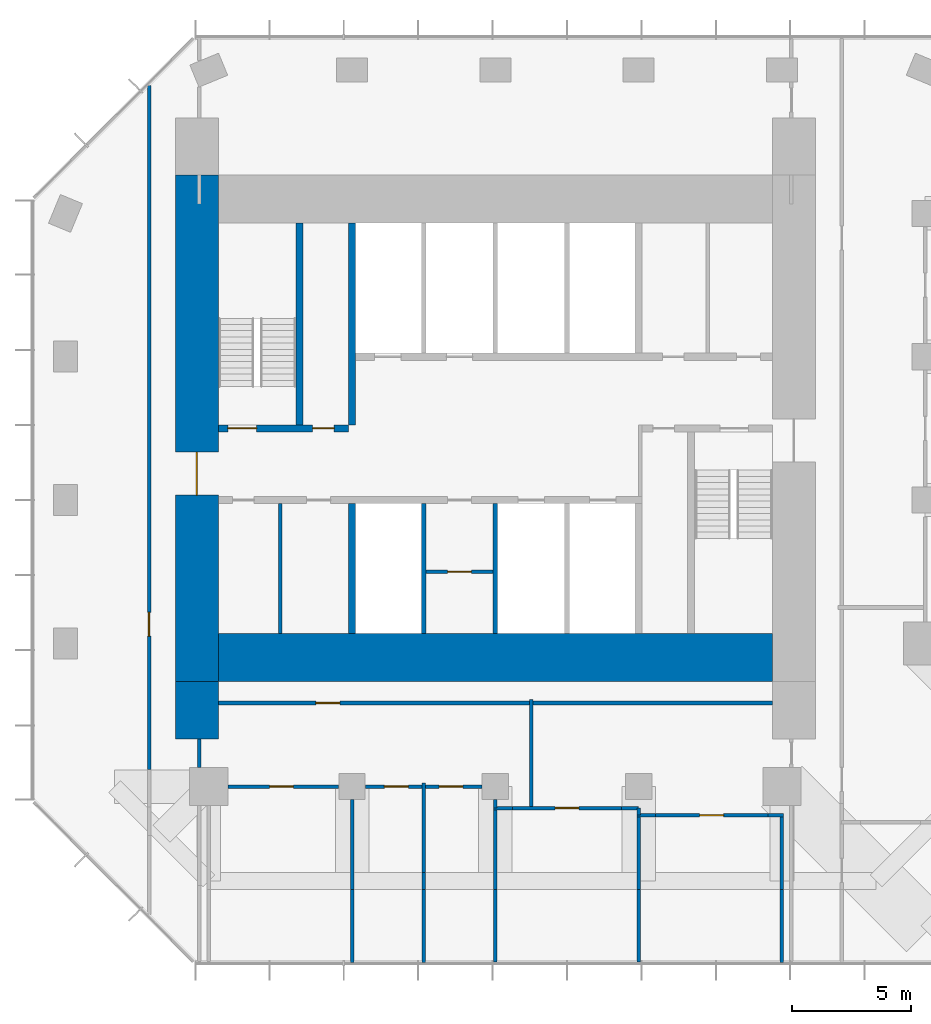
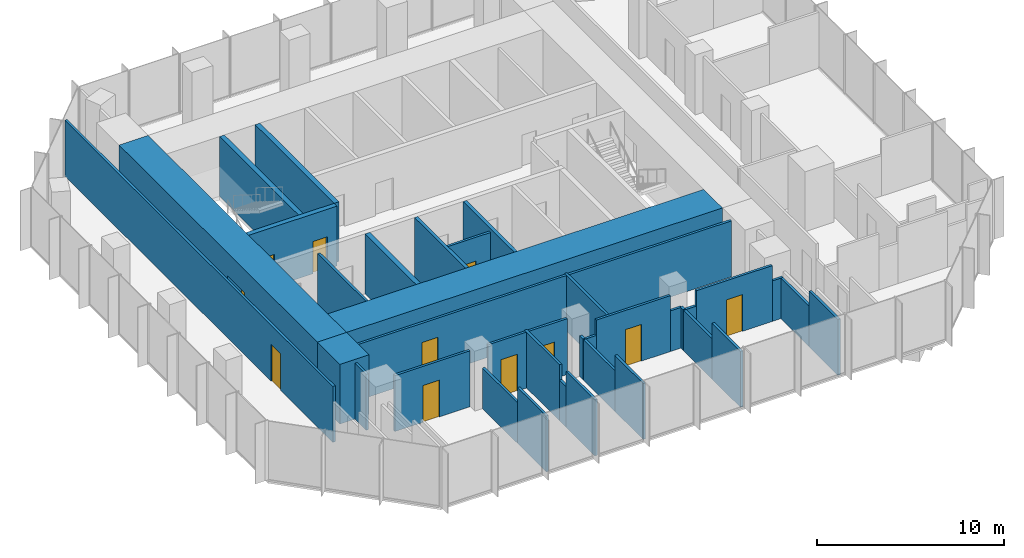
# One storey, part 8 of 11: 38 walls, 11 doors, 11 openings.
"""IFC4 building model written with IfcOpenShell, lengths in metres."""

from ifc_helpers import new_model, si_unit, direction, frame, frame_2d, origin, place, context, subcontext, project, spatial, rectangle, extrude, material, layer, layer_set, type_object, element, fill, save


model = new_model("IFC4")

# Units and contexts
model_context = context("Model", 3, precision=1e-05, world=origin(), true_north=direction((0.0, 1.0)))
body_context = subcontext(model_context, "Body", "Model", "MODEL_VIEW")
ifc_project = project(units=[si_unit("LENGTHUNIT", "METRE"), si_unit("AREAUNIT", "SQUARE_METRE"), si_unit("VOLUMEUNIT", "CUBIC_METRE"), si_unit("PLANEANGLEUNIT", "RADIAN"), si_unit("MASSUNIT", "GRAM", prefix="KILO")], contexts=[model_context])

# Site, building, storey
site_placement = place(None, origin())
site = spatial("IfcSite", under=ifc_project, at=site_placement, CompositionType="ELEMENT")
building_placement = place(site_placement, origin())
building = spatial("IfcBuilding", under=site, at=building_placement, Name="Highveld Stack Headquarters", CompositionType="ELEMENT")
storey_placement = place(building_placement, frame((0.0, 0.0, 276.199951171875)))
storey = spatial("IfcBuildingStorey", under=building, at=storey_placement, Name="L68", CompositionType="ELEMENT", Elevation=276.199951171875)

# Wall, opening, door
ifc_material_1 = material(Name="Concrete C60/75", Category="concrete")
ifc_layer_1 = layer(ifc_material_1, 1.800048828125)
ifc_layer_set_1 = layer_set([ifc_layer_1], Name="Concrete C60/75")
wall_type_1 = type_object("IfcWallType", Name="CORE WALL 1800 C60/75", PredefinedType="SHEAR", material=ifc_layer_set_1)
wall_1_placement = place(storey_placement, frame((-6.5, -7.60009765625, 0.0), z_axis=(0.0, 0.0, 1.0), x_axis=(0.0, 1.0, 0.0)))
wall_1 = element("IfcWall", 1, at=wall_1_placement, inside=storey, type_object=wall_type_1, Name="Core wall W L68", PredefinedType="SHEAR", context=body_context, shape_type="SweptSolid", body=[
    extrude(rectangle(XDim=21.2001953125, YDim=1.800048828125, at=frame_2d((10.60009765625, 0.0))), origin(), (0.0, 0.0, 1.0), 3.900146484375),
])
opening_1_placement = place(wall_1_placement, frame((7.800048828125, 0.0, 0.0)))
opening_1 = element("IfcOpeningElement", 2, at=opening_1_placement, cuts=wall_1, Name="Opening L68-01", PredefinedType="OPENING", context=body_context, shape_type="SweptSolid", body=[
    extrude(rectangle(XDim=1.800048828125, YDim=2.39990234375, at=frame_2d((0.89990234375, 1.199951171875))), frame((0.0, 0.909912109375, 0.0), z_axis=(0.0, -1.0, 0.0), x_axis=(1.0, 0.0, 0.0)), (0.0, 0.0, 1.0), 1.820068359375),
])
ifc_material_2 = material(Name="Steel fire door", Category="steel")
door_type_1 = type_object("IfcDoorType", Name="LOBBY FIRE DOOR D4 1800x2400", OperationType="DOUBLE_DOOR_SINGLE_SWING", PredefinedType="DOOR", material=ifc_material_2)
door_1_placement = place(opening_1_placement, origin())
door_1 = element("IfcDoor", 3, at=door_1_placement, inside=storey, type_object=door_type_1, Name="Core west door L68", OperationType="DOUBLE_DOOR_SINGLE_SWING", OverallHeight=2.39990234375, OverallWidth=1.800048828125, PredefinedType="DOOR", context=body_context, shape_type="SweptSolid", body=[
    extrude(rectangle(XDim=1.800048828125, YDim=2.39990234375, at=frame_2d((0.89990234375, 1.199951171875))), frame((0.0, 0.02490234375, 0.0), z_axis=(0.0, -1.0, 0.0), x_axis=(1.0, 0.0, 0.0)), (0.0, 0.0, 1.0), 0.050048828125),
])
fill(opening_1, door_1)

# Wall
ifc_material_3 = material(Name="Concrete C60/75", Category="concrete")
ifc_layer_2 = layer(ifc_material_3, 2.0)
ifc_layer_set_2 = layer_set([ifc_layer_2], Name="Concrete C60/75")
wall_type_2 = type_object("IfcWallType", Name="CORE WALL 2000 C60/75", PredefinedType="SHEAR", material=ifc_layer_set_2)
wall_2_placement = place(storey_placement, frame((-5.60009765625, -6.60009765625, 0.0), z_axis=(0.0, 0.0, 1.0), x_axis=(1.0, 0.0, 0.0)))
element("IfcWall", 4, at=wall_2_placement, inside=storey, type_object=wall_type_2, Name="Core wall S L68", PredefinedType="SHEAR", context=body_context, shape_type="SweptSolid", body=[
    extrude(rectangle(XDim=23.2001953125, YDim=2.0, at=frame_2d((11.60009765625, 0.0))), origin(), (0.0, 0.0, 1.0), 3.900146484375),
])

# Wall, openings, doors
ifc_material_4 = material(Name="Concrete C60/75", Category="concrete")
ifc_layer_3 = layer(ifc_material_4, 0.300048828125)
ifc_layer_set_3 = layer_set([ifc_layer_3], Name="Concrete C60/75")
wall_type_3 = type_object("IfcWallType", Name="CORE WALL 300 C60/75", PredefinedType="SHEAR", material=ifc_layer_set_3)
wall_3_placement = place(storey_placement, frame((-5.60009765625, 3.0, 0.0), z_axis=(0.0, 0.0, 1.0), x_axis=(1.0, 0.0, 0.0)))
wall_3 = element("IfcWall", 5, at=wall_3_placement, inside=storey, type_object=wall_type_3, Name="Core wall I-Y3W L68", PredefinedType="SHEAR", context=body_context, shape_type="SweptSolid", body=[
    extrude(rectangle(XDim=5.4501953125, YDim=0.300048828125, at=frame_2d((2.72509765625, 0.0))), origin(), (0.0, 0.0, 1.0), 3.900146484375),
])
opening_2_placement = place(wall_3_placement, frame((0.39990234375, 0.0, 0.0)))
opening_2 = element("IfcOpeningElement", 6, at=opening_2_placement, cuts=wall_3, Name="Opening L68-03", PredefinedType="OPENING", context=body_context, shape_type="SweptSolid", body=[
    extrude(rectangle(XDim=1.199951171875, YDim=2.10009765625, at=frame_2d((0.60009765625, 1.050048828125))), frame((0.0, 0.159912109375, 0.0), z_axis=(0.0, -1.0, 0.0), x_axis=(1.0, 0.0, 0.0)), (0.0, 0.0, 1.0), 0.320068359375),
])
opening_3_placement = place(wall_3_placement, frame((3.949951171875, 0.0, 0.0)))
opening_3 = element("IfcOpeningElement", 7, at=opening_3_placement, cuts=wall_3, Name="Opening L68-04", PredefinedType="OPENING", context=body_context, shape_type="SweptSolid", body=[
    extrude(rectangle(XDim=0.89990234375, YDim=2.10009765625, at=frame_2d((0.449951171875, 1.050048828125))), frame((0.0, 0.159912109375, 0.0), z_axis=(0.0, -1.0, 0.0), x_axis=(1.0, 0.0, 0.0)), (0.0, 0.0, 1.0), 0.320068359375),
])
ifc_material_5 = material(Name="Steel fire door", Category="steel")
door_type_2 = type_object("IfcDoorType", Name="RISER ACCESS DOOR D5 900x2100", OperationType="SINGLE_SWING_LEFT", PredefinedType="DOOR", material=ifc_material_5)
door_2_placement = place(opening_3_placement, origin())
door_2 = element("IfcDoor", 8, at=door_2_placement, inside=storey, type_object=door_type_2, Name="Riser R1 door L68", OperationType="SINGLE_SWING_RIGHT", OverallHeight=2.10009765625, OverallWidth=0.89990234375, PredefinedType="DOOR", context=body_context, shape_type="SweptSolid", body=[
    extrude(rectangle(XDim=0.89990234375, YDim=2.10009765625, at=frame_2d((0.449951171875, 1.050048828125))), frame((0.0, 0.02490234375, 0.0), z_axis=(0.0, -1.0, 0.0), x_axis=(1.0, 0.0, 0.0)), (0.0, 0.0, 1.0), 0.050048828125),
])
fill(opening_3, door_2)
ifc_material_6 = material(Name="Steel fire door", Category="steel")
door_type_3 = type_object("IfcDoorType", Name="STAIR FIRE DOOR D3 1200x2100", OperationType="SINGLE_SWING_LEFT", PredefinedType="DOOR", material=ifc_material_6)
door_3_placement = place(opening_2_placement, origin())
door_3 = element("IfcDoor", 9, at=door_3_placement, inside=storey, type_object=door_type_3, Name="Stair S1 door L68", OperationType="SINGLE_SWING_LEFT", OverallHeight=2.10009765625, OverallWidth=1.199951171875, PredefinedType="DOOR", context=body_context, shape_type="SweptSolid", body=[
    extrude(rectangle(XDim=1.199951171875, YDim=2.10009765625, at=frame_2d((0.60009765625, 1.050048828125))), frame((0.0, 0.02490234375, 0.0), z_axis=(0.0, -1.0, 0.0), x_axis=(1.0, 0.0, 0.0)), (0.0, 0.0, 1.0), 0.050048828125),
])
fill(opening_2, door_3)

# Walls
wall_4_placement = place(storey_placement, frame((0.0, -5.60009765625, 0.0), z_axis=(0.0, 0.0, 1.0), x_axis=(0.0, 1.0, 0.0)))
element("IfcWall", 10, at=wall_4_placement, inside=storey, type_object=wall_type_3, Name="Core wall I-X0S L68", PredefinedType="SHEAR", context=body_context, shape_type="SweptSolid", body=[
    extrude(rectangle(XDim=5.4501953125, YDim=0.300048828125, at=frame_2d((2.72509765625, 0.0))), origin(), (0.0, 0.0, 1.0), 3.900146484375),
])
for number, where, z_axis, x_axis, name in (
    (11, (0.0, 3.14990234375, 0.0), (0.0, 0.0, 1.0), (0.0, 1.0, 0.0), "Core wall I-X0N L68"),
    (12, (-2.199951171875, 3.14990234375, 0.0), (0.0, 0.0, 1.0), (0.0, 1.0, 0.0), "Core wall I-RW L68"),
):
    element("IfcWall", number, at=place(storey_placement, frame(where, z_axis=z_axis, x_axis=x_axis)), inside=storey, type_object=wall_type_3, Name=name, PredefinedType="SHEAR", context=body_context, shape_type="SweptSolid", body=[
        extrude(rectangle(XDim=8.4501953125, YDim=0.300048828125, at=frame_2d((4.22509765625, 0.0))), origin(), (0.0, 0.0, 1.0), 3.900146484375),
    ])
ifc_material_7 = material(Name="Concrete C60/75", Category="concrete")
ifc_layer_4 = layer(ifc_material_7, 1.800048828125)
ifc_layer_set_4 = layer_set([ifc_layer_4], Name="Concrete C60/75")
wall_type_4 = type_object("IfcWallType", Name="CORE WING WALL 1800 C60/75", PredefinedType="SHEAR", material=ifc_layer_set_4)
wall_5_placement = place(storey_placement, frame((-6.5, -10.0, 0.0), z_axis=(0.0, 0.0, 1.0), x_axis=(0.0, 1.0, 0.0)))
element("IfcWall", 13, at=wall_5_placement, inside=storey, type_object=wall_type_4, Name="Core wing wall WS L68", PredefinedType="SHEAR", context=body_context, shape_type="SweptSolid", body=[
    extrude(rectangle(XDim=2.39990234375, YDim=1.800048828125, at=frame_2d((1.199951171875, 0.0))), origin(), (0.0, 0.0, 1.0), 3.900146484375),
])

# Wall, opening, door
ifc_material_8 = material(Name="Concrete blockwork, plastered", Category="masonry")
ifc_layer_5 = layer(ifc_material_8, 0.14990234375)
ifc_layer_set_5 = layer_set([ifc_layer_5], Name="Concrete blockwork, plastered")
wall_type_5 = type_object("IfcWallType", Name="FIRE PARTITION 150 BLOCKWORK", PredefinedType="PARTITIONING", material=ifc_layer_set_5)
wall_6_placement = place(storey_placement, frame((3.10009765625, -3.0, 0.0), z_axis=(0.0, 0.0, 1.0), x_axis=(1.0, 0.0, 0.0)))
wall_6 = element("IfcWall", 14, at=wall_6_placement, inside=storey, type_object=wall_type_5, Name="Core room partition L68", PredefinedType="PARTITIONING", context=body_context, shape_type="SweptSolid", body=[
    extrude(rectangle(XDim=2.7998046875, YDim=0.14990234375, at=frame_2d((1.39990234375, 0.0))), origin(), (0.0, 0.0, 1.0), 3.650146484375),
])
opening_4_placement = place(wall_6_placement, frame((0.89990234375, 0.0, 0.0)))
opening_4 = element("IfcOpeningElement", 15, at=opening_4_placement, cuts=wall_6, Name="Opening L68-11", PredefinedType="OPENING", context=body_context, shape_type="SweptSolid", body=[
    extrude(rectangle(XDim=1.0, YDim=2.10009765625, at=frame_2d((0.5, 1.050048828125))), frame((0.0, 0.0849609375, 0.0), z_axis=(0.0, -1.0, 0.0), x_axis=(1.0, 0.0, 0.0)), (0.0, 0.0, 1.0), 0.169921875),
])
ifc_material_9 = material(Name="Steel fire door", Category="steel")
door_type_4 = type_object("IfcDoorType", Name="CORE ROOM FIRE DOOR D14 1000x2100", OperationType="SINGLE_SWING_LEFT", PredefinedType="DOOR", material=ifc_material_9)
door_4_placement = place(opening_4_placement, origin())
door_4 = element("IfcDoor", 16, at=door_4_placement, inside=storey, type_object=door_type_4, Name="Capped B 2 door L68", OperationType="SINGLE_SWING_RIGHT", OverallHeight=2.10009765625, OverallWidth=1.0, PredefinedType="DOOR", context=body_context, shape_type="SweptSolid", body=[
    extrude(rectangle(XDim=1.0, YDim=2.10009765625, at=frame_2d((0.5, 1.050048828125))), frame((0.0, 0.02490234375, 0.0), z_axis=(0.0, -1.0, 0.0), x_axis=(1.0, 0.0, 0.0)), (0.0, 0.0, 1.0), 0.050048828125),
])
fill(opening_4, door_4)

ifc_material_10 = material(Name="Laminated glass in aluminium frame", Category="aluminium")
ifc_layer_6 = layer(ifc_material_10, 0.14990234375)
ifc_layer_set_6 = layer_set([ifc_layer_6], Name="Laminated glass in aluminium frame")
wall_type_6 = type_object("IfcWallType", Name="GLAZED PARTITION 150", PredefinedType="PARTITIONING", material=ifc_layer_set_6)
wall_7_placement = place(storey_placement, frame((-5.199951171875, -12.0, 0.0), z_axis=(0.0, 0.0, 1.0), x_axis=(1.0, 0.0, 0.0)))
wall_7 = element("IfcWall", 17, at=wall_7_placement, inside=storey, type_object=wall_type_6, Name="Glazed partition Meeting room L68", PredefinedType="PARTITIONING", context=body_context, shape_type="SweptSolid", body=[
    extrude(rectangle(XDim=4.639892578125, YDim=0.14990234375, at=frame_2d((2.31982421875, 0.0))), origin(), (0.0, 0.0, 1.0), 3.650146484375),
])
opening_5_placement = place(wall_7_placement, frame((1.7451171875, 0.0, 0.0)))
opening_5 = element("IfcOpeningElement", 18, at=opening_5_placement, cuts=wall_7, Name="Opening L68-13", PredefinedType="OPENING", context=body_context, shape_type="SweptSolid", body=[
    extrude(rectangle(XDim=1.0, YDim=2.39990234375, at=frame_2d((0.5, 1.199951171875))), frame((0.0, 0.0849609375, 0.0), z_axis=(0.0, -1.0, 0.0), x_axis=(1.0, 0.0, 0.0)), (0.0, 0.0, 1.0), 0.169921875),
])
ifc_material_11 = material(Name="Timber door, oiled ash", Category="wood")
door_type_5 = type_object("IfcDoorType", Name="ROOM DOOR D11 1000x2400", OperationType="SINGLE_SWING_LEFT", PredefinedType="DOOR", material=ifc_material_11)
door_5_placement = place(opening_5_placement, origin())
door_5 = element("IfcDoor", 19, at=door_5_placement, inside=storey, type_object=door_type_5, Name="Meeting room door 1 L68", OperationType="SINGLE_SWING_LEFT", OverallHeight=2.39990234375, OverallWidth=1.0, PredefinedType="DOOR", context=body_context, shape_type="SweptSolid", body=[
    extrude(rectangle(XDim=1.0, YDim=2.39990234375, at=frame_2d((0.5, 1.199951171875))), frame((0.0, 0.02490234375, 0.0), z_axis=(0.0, -1.0, 0.0), x_axis=(1.0, 0.0, 0.0)), (0.0, 0.0, 1.0), 0.050048828125),
])
fill(opening_5, door_5)

# Walls
ifc_material_12 = material(Name="Concrete blockwork, fair-faced", Category="masonry")
ifc_layer_7 = layer(ifc_material_12, 0.199951171875)
ifc_layer_set_7 = layer_set([ifc_layer_7], Name="Concrete blockwork, fair-faced")
wall_type_7 = type_object("IfcWallType", Name="LIFT SHAFT ENCLOSURE WALL 200 BLOCKWORK", PredefinedType="SOLIDWALL", material=ifc_layer_set_7)
for number, where, z_axis, x_axis, name in (
    (20, (3.0, -5.60009765625, 0.0), (0.0, 0.0, 1.0), (0.0, 1.0, 0.0), "Lift shaft wall L68"),
    (21, (6.0, -5.60009765625, 0.0), (0.0, 0.0, 1.0), (0.0, 1.0, 0.0), "Lift shaft wall L68"),
):
    element("IfcWall", number, at=place(storey_placement, frame(where, z_axis=z_axis, x_axis=x_axis)), inside=storey, type_object=wall_type_7, Name=name, PredefinedType="SOLIDWALL", context=body_context, shape_type="SweptSolid", body=[
        extrude(rectangle(XDim=5.4501953125, YDim=0.199951171875, at=frame_2d((2.72509765625, 0.0))), origin(), (0.0, 0.0, 1.0), 3.900146484375),
    ])
ifc_material_13 = material(Name="Gypsum plasterboard on steel studs", Category="steel")
ifc_layer_8 = layer(ifc_material_13, 0.14990234375)
ifc_layer_set_8 = layer_set([ifc_layer_8], Name="Gypsum plasterboard on steel studs")
wall_type_8 = type_object("IfcWallType", Name="PARTITION 150 PLASTERBOARD", PredefinedType="PARTITIONING", material=ifc_layer_set_8)
wall_8_placement = place(storey_placement, frame((11.925048828125, -13.199951171875, 0.0), z_axis=(0.0, 0.0, 1.0), x_axis=(1.0, 0.0, 0.0)))
element("IfcWall", 22, at=wall_8_placement, inside=storey, type_object=wall_type_8, Name="Partition Assistants office L68", PredefinedType="PARTITIONING", context=body_context, shape_type="SweptSolid", body=[
    extrude(rectangle(XDim=0.784912109375, YDim=0.14990234375, at=frame_2d((0.392578125, 0.0))), origin(), (0.0, 0.0, 1.0), 2.650146484375),
])

# Wall, opening, door
wall_9_placement = place(storey_placement, frame((12.7099609375, -13.199951171875, 0.0), z_axis=(0.0, 0.0, 1.0), x_axis=(1.0, 0.0, 0.0)))
wall_9 = element("IfcWall", 23, at=wall_9_placement, inside=storey, type_object=wall_type_8, Name="Partition Assistants office L68", PredefinedType="PARTITIONING", context=body_context, shape_type="SweptSolid", body=[
    extrude(rectangle(XDim=4.697998046875, YDim=0.14990234375, at=frame_2d((2.34912109375, 0.0))), origin(), (0.0, 0.0, 1.0), 3.650146484375),
])
opening_6_placement = place(wall_9_placement, frame((1.84912109375, 0.0, 0.0)))
opening_6 = element("IfcOpeningElement", 24, at=opening_6_placement, cuts=wall_9, Name="Opening L68-17", PredefinedType="OPENING", context=body_context, shape_type="SweptSolid", body=[
    extrude(rectangle(XDim=1.0, YDim=2.39990234375, at=frame_2d((0.5, 1.199951171875))), frame((0.0, 0.0849609375, 0.0), z_axis=(0.0, -1.0, 0.0), x_axis=(1.0, 0.0, 0.0)), (0.0, 0.0, 1.0), 0.169921875),
])
door_6_placement = place(opening_6_placement, origin())
door_6 = element("IfcDoor", 25, at=door_6_placement, inside=storey, type_object=door_type_5, Name="Assistants office door 1 L68", OperationType="SINGLE_SWING_RIGHT", OverallHeight=2.39990234375, OverallWidth=1.0, PredefinedType="DOOR", context=body_context, shape_type="SweptSolid", body=[
    extrude(rectangle(XDim=1.0, YDim=2.39990234375, at=frame_2d((0.5, 1.199951171875))), frame((0.0, 0.02490234375, 0.0), z_axis=(0.0, -1.0, 0.0), x_axis=(1.0, 0.0, 0.0)), (0.0, 0.0, 1.0), 0.050048828125),
])
fill(opening_6, door_6)

# Walls
wall_10_placement = place(storey_placement, frame((17.407958984375, -13.199951171875, 0.0), z_axis=(0.0, 0.0, 1.0), x_axis=(1.0, 0.0, 0.0)))
element("IfcWall", 26, at=wall_10_placement, inside=storey, type_object=wall_type_8, Name="Partition Assistants office L68", PredefinedType="PARTITIONING", context=body_context, shape_type="SweptSolid", body=[
    extrude(rectangle(XDim=0.6669921875, YDim=0.14990234375, at=frame_2d((0.33349609375, 0.0))), origin(), (0.0, 0.0, 1.0), 2.650146484375),
])
wall_11_placement = place(storey_placement, frame((5.925048828125, -12.89990234375, 0.0), z_axis=(0.0, 0.0, 1.0), x_axis=(1.0, 0.0, 0.0)))
element("IfcWall", 27, at=wall_11_placement, inside=storey, type_object=wall_type_8, Name="Partition Interview room L68", PredefinedType="PARTITIONING", context=body_context, shape_type="SweptSolid", body=[
    extrude(rectangle(XDim=0.784912109375, YDim=0.14990234375, at=frame_2d((0.392578125, 0.0))), origin(), (0.0, 0.0, 1.0), 2.650146484375),
])

# Wall, opening, door
wall_12_placement = place(storey_placement, frame((6.7099609375, -12.89990234375, 0.0), z_axis=(0.0, 0.0, 1.0), x_axis=(1.0, 0.0, 0.0)))
wall_12 = element("IfcWall", 28, at=wall_12_placement, inside=storey, type_object=wall_type_8, Name="Partition Interview room L68", PredefinedType="PARTITIONING", context=body_context, shape_type="SweptSolid", body=[
    extrude(rectangle(XDim=4.580078125, YDim=0.14990234375, at=frame_2d((2.2900390625, 0.0))), origin(), (0.0, 0.0, 1.0), 3.650146484375),
])
opening_7_placement = place(wall_12_placement, frame((1.7900390625, 0.0, 0.0)))
opening_7 = element("IfcOpeningElement", 29, at=opening_7_placement, cuts=wall_12, Name="Opening L68-16", PredefinedType="OPENING", context=body_context, shape_type="SweptSolid", body=[
    extrude(rectangle(XDim=1.0, YDim=2.39990234375, at=frame_2d((0.5, 1.199951171875))), frame((0.0, 0.0849609375, 0.0), z_axis=(0.0, -1.0, 0.0), x_axis=(1.0, 0.0, 0.0)), (0.0, 0.0, 1.0), 0.169921875),
])
door_7_placement = place(opening_7_placement, origin())
door_7 = element("IfcDoor", 30, at=door_7_placement, inside=storey, type_object=door_type_5, Name="Interview room door 1 L68", OperationType="SINGLE_SWING_LEFT", OverallHeight=2.39990234375, OverallWidth=1.0, PredefinedType="DOOR", context=body_context, shape_type="SweptSolid", body=[
    extrude(rectangle(XDim=1.0, YDim=2.39990234375, at=frame_2d((0.5, 1.199951171875))), frame((0.0, 0.02490234375, 0.0), z_axis=(0.0, -1.0, 0.0), x_axis=(1.0, 0.0, 0.0)), (0.0, 0.0, 1.0), 0.050048828125),
])
fill(opening_7, door_7)

# Wall
wall_13_placement = place(storey_placement, frame((11.2900390625, -12.89990234375, 0.0), z_axis=(0.0, 0.0, 1.0), x_axis=(1.0, 0.0, 0.0)))
element("IfcWall", 31, at=wall_13_placement, inside=storey, type_object=wall_type_8, Name="Partition Interview room L68", PredefinedType="PARTITIONING", context=body_context, shape_type="SweptSolid", body=[
    extrude(rectangle(XDim=0.7099609375, YDim=0.14990234375, at=frame_2d((0.35498046875, 0.0))), origin(), (0.0, 0.0, 1.0), 2.650146484375),
])

# Wall, opening, door
wall_14_placement = place(storey_placement, frame((0.56005859375, -12.0, 0.0), z_axis=(0.0, 0.0, 1.0), x_axis=(1.0, 0.0, 0.0)))
wall_14 = element("IfcWall", 32, at=wall_14_placement, inside=storey, type_object=wall_type_8, Name="Partition Office L68", PredefinedType="PARTITIONING", context=body_context, shape_type="SweptSolid", body=[
    extrude(rectangle(XDim=2.364990234375, YDim=0.14990234375, at=frame_2d((1.1826171875, 0.0))), origin(), (0.0, 0.0, 1.0), 3.650146484375),
])
opening_8_placement = place(wall_14_placement, frame((0.794921875, 0.0, 0.0)))
opening_8 = element("IfcOpeningElement", 33, at=opening_8_placement, cuts=wall_14, Name="Opening L68-14", PredefinedType="OPENING", context=body_context, shape_type="SweptSolid", body=[
    extrude(rectangle(XDim=1.0, YDim=2.39990234375, at=frame_2d((0.5, 1.199951171875))), frame((0.0, 0.0849609375, 0.0), z_axis=(0.0, -1.0, 0.0), x_axis=(1.0, 0.0, 0.0)), (0.0, 0.0, 1.0), 0.169921875),
])
door_8_placement = place(opening_8_placement, origin())
door_8 = element("IfcDoor", 34, at=door_8_placement, inside=storey, type_object=door_type_5, Name="Office door 1 L68", OperationType="SINGLE_SWING_RIGHT", OverallHeight=2.39990234375, OverallWidth=1.0, PredefinedType="DOOR", context=body_context, shape_type="SweptSolid", body=[
    extrude(rectangle(XDim=1.0, YDim=2.39990234375, at=frame_2d((0.5, 1.199951171875))), frame((0.0, 0.02490234375, 0.0), z_axis=(0.0, -1.0, 0.0), x_axis=(1.0, 0.0, 0.0)), (0.0, 0.0, 1.0), 0.050048828125),
])
fill(opening_8, door_8)

wall_15_placement = place(storey_placement, frame((3.074951171875, -12.0, 0.0), z_axis=(0.0, 0.0, 1.0), x_axis=(1.0, 0.0, 0.0)))
wall_15 = element("IfcWall", 35, at=wall_15_placement, inside=storey, type_object=wall_type_8, Name="Partition Office L68", PredefinedType="PARTITIONING", context=body_context, shape_type="SweptSolid", body=[
    extrude(rectangle(XDim=2.364990234375, YDim=0.14990234375, at=frame_2d((1.1826171875, 0.0))), origin(), (0.0, 0.0, 1.0), 3.650146484375),
])
opening_9_placement = place(wall_15_placement, frame((0.570068359375, 0.0, 0.0)))
opening_9 = element("IfcOpeningElement", 36, at=opening_9_placement, cuts=wall_15, Name="Opening L68-15", PredefinedType="OPENING", context=body_context, shape_type="SweptSolid", body=[
    extrude(rectangle(XDim=1.0, YDim=2.39990234375, at=frame_2d((0.5, 1.199951171875))), frame((0.0, 0.0849609375, 0.0), z_axis=(0.0, -1.0, 0.0), x_axis=(1.0, 0.0, 0.0)), (0.0, 0.0, 1.0), 0.169921875),
])
door_9_placement = place(opening_9_placement, origin())
door_9 = element("IfcDoor", 37, at=door_9_placement, inside=storey, type_object=door_type_5, Name="Office door 1 L68", OperationType="SINGLE_SWING_LEFT", OverallHeight=2.39990234375, OverallWidth=1.0, PredefinedType="DOOR", context=body_context, shape_type="SweptSolid", body=[
    extrude(rectangle(XDim=1.0, YDim=2.39990234375, at=frame_2d((0.5, 1.199951171875))), frame((0.0, 0.02490234375, 0.0), z_axis=(0.0, -1.0, 0.0), x_axis=(1.0, 0.0, 0.0)), (0.0, 0.0, 1.0), 0.050048828125),
])
fill(opening_9, door_9)

# Walls
wall_16_placement = place(storey_placement, frame((0.0, -19.375, 0.0), z_axis=(0.0, 0.0, 1.0), x_axis=(0.0, 1.0, 0.0)))
element("IfcWall", 38, at=wall_16_placement, inside=storey, type_object=wall_type_8, Name="Partition Meeting room / Office L68", PredefinedType="PARTITIONING", context=body_context, shape_type="SweptSolid", body=[
    extrude(rectangle(XDim=3.06494140625, YDim=0.14990234375, at=frame_2d((1.532470703125, 0.0))), origin(), (0.0, 0.0, 1.0), 3.650146484375),
])
wall_17_placement = place(storey_placement, frame((0.0, -16.31005859375, 0.0), z_axis=(0.0, 0.0, 1.0), x_axis=(0.0, 1.0, 0.0)))
element("IfcWall", 39, at=wall_17_placement, inside=storey, type_object=wall_type_8, Name="Partition Meeting room / Office L68", PredefinedType="PARTITIONING", context=body_context, shape_type="SweptSolid", body=[
    extrude(rectangle(XDim=3.760009765625, YDim=0.14990234375, at=frame_2d((1.8798828125, 0.0))), origin(), (0.0, 0.0, 1.0), 2.650146484375),
])
wall_18_placement = place(storey_placement, frame((3.0, -19.375, 0.0), z_axis=(0.0, 0.0, 1.0), x_axis=(0.0, 1.0, 0.0)))
element("IfcWall", 40, at=wall_18_placement, inside=storey, type_object=wall_type_8, Name="Partition Office L68", PredefinedType="PARTITIONING", context=body_context, shape_type="SweptSolid", body=[
    extrude(rectangle(XDim=3.06494140625, YDim=0.14990234375, at=frame_2d((1.532470703125, 0.0))), origin(), (0.0, 0.0, 1.0), 3.650146484375),
])
wall_19_placement = place(storey_placement, frame((3.0, -16.31005859375, 0.0), z_axis=(0.0, 0.0, 1.0), x_axis=(0.0, 1.0, 0.0)))
element("IfcWall", 41, at=wall_19_placement, inside=storey, type_object=wall_type_8, Name="Partition Office L68", PredefinedType="PARTITIONING", context=body_context, shape_type="SweptSolid", body=[
    extrude(rectangle(XDim=0.719970703125, YDim=0.14990234375, at=frame_2d((0.35986328125, 0.0))), origin(), (0.0, 0.0, 1.0), 2.650146484375),
])
wall_20_placement = place(storey_placement, frame((3.0, -15.590087890625, 0.0), z_axis=(0.0, 0.0, 1.0), x_axis=(0.0, 1.0, 0.0)))
element("IfcWall", 42, at=wall_20_placement, inside=storey, type_object=wall_type_8, Name="Partition Office L68", PredefinedType="PARTITIONING", context=body_context, shape_type="SweptSolid", body=[
    extrude(rectangle(XDim=3.739990234375, YDim=0.14990234375, at=frame_2d((1.8701171875, 0.0))), origin(), (0.0, 0.0, 1.0), 3.650146484375),
])
wall_21_placement = place(storey_placement, frame((6.0, -19.35009765625, 0.0), z_axis=(0.0, 0.0, 1.0), x_axis=(0.0, 1.0, 0.0)))
element("IfcWall", 43, at=wall_21_placement, inside=storey, type_object=wall_type_8, Name="Partition Interview room / Office L68", PredefinedType="PARTITIONING", context=body_context, shape_type="SweptSolid", body=[
    extrude(rectangle(XDim=3.0400390625, YDim=0.14990234375, at=frame_2d((1.52001953125, 0.0))), origin(), (0.0, 0.0, 1.0), 3.650146484375),
])
wall_22_placement = place(storey_placement, frame((6.0, -16.31005859375, 0.0), z_axis=(0.0, 0.0, 1.0), x_axis=(0.0, 1.0, 0.0)))
element("IfcWall", 44, at=wall_22_placement, inside=storey, type_object=wall_type_8, Name="Partition Interview room / Office L68", PredefinedType="PARTITIONING", context=body_context, shape_type="SweptSolid", body=[
    extrude(rectangle(XDim=3.3349609375, YDim=0.14990234375, at=frame_2d((1.66748046875, 0.0))), origin(), (0.0, 0.0, 1.0), 2.650146484375),
])
wall_23_placement = place(storey_placement, frame((6.0, -12.89990234375, 0.0), z_axis=(0.0, 0.0, 1.0), x_axis=(0.0, 1.0, 0.0)))
element("IfcWall", 45, at=wall_23_placement, inside=storey, type_object=wall_type_8, Name="Partition Office L68", PredefinedType="PARTITIONING", context=body_context, shape_type="SweptSolid", body=[
    extrude(rectangle(XDim=0.349853515625, YDim=0.14990234375, at=frame_2d((0.1748046875, 0.0))), origin(), (0.0, 0.0, 1.0), 2.650146484375),
])
wall_24_placement = place(storey_placement, frame((12.0, -19.35009765625, 0.0), z_axis=(0.0, 0.0, 1.0), x_axis=(0.0, 1.0, 0.0)))
element("IfcWall", 46, at=wall_24_placement, inside=storey, type_object=wall_type_8, Name="Partition Assistants office / Interview room L68", PredefinedType="PARTITIONING", context=body_context, shape_type="SweptSolid", body=[
    extrude(rectangle(XDim=3.0400390625, YDim=0.14990234375, at=frame_2d((1.52001953125, 0.0))), origin(), (0.0, 0.0, 1.0), 3.650146484375),
])
wall_25_placement = place(storey_placement, frame((12.0, -16.31005859375, 0.0), z_axis=(0.0, 0.0, 1.0), x_axis=(0.0, 1.0, 0.0)))
element("IfcWall", 47, at=wall_25_placement, inside=storey, type_object=wall_type_8, Name="Partition Assistants office / Interview room L68", PredefinedType="PARTITIONING", context=body_context, shape_type="SweptSolid", body=[
    extrude(rectangle(XDim=3.03515625, YDim=0.14990234375, at=frame_2d((1.517578125, 0.0))), origin(), (0.0, 0.0, 1.0), 2.650146484375),
])
wall_26_placement = place(storey_placement, frame((12.0, -13.199951171875, 0.0), z_axis=(0.0, 0.0, 1.0), x_axis=(0.0, 1.0, 0.0)))
element("IfcWall", 48, at=wall_26_placement, inside=storey, type_object=wall_type_8, Name="Partition Interview room L68", PredefinedType="PARTITIONING", context=body_context, shape_type="SweptSolid", body=[
    extrude(rectangle(XDim=0.300048828125, YDim=0.14990234375, at=frame_2d((0.14990234375, 0.0))), origin(), (0.0, 0.0, 1.0), 2.650146484375),
])
wall_27_placement = place(storey_placement, frame((18.0, -19.375, 0.0), z_axis=(0.0, 0.0, 1.0), x_axis=(0.0, 1.0, 0.0)))
element("IfcWall", 49, at=wall_27_placement, inside=storey, type_object=wall_type_8, Name="Partition Assistants office L68", PredefinedType="PARTITIONING", context=body_context, shape_type="SweptSolid", body=[
    extrude(rectangle(XDim=3.06494140625, YDim=0.14990234375, at=frame_2d((1.532470703125, 0.0))), origin(), (0.0, 0.0, 1.0), 3.650146484375),
])
wall_28_placement = place(storey_placement, frame((18.0, -16.31005859375, 0.0), z_axis=(0.0, 0.0, 1.0), x_axis=(0.0, 1.0, 0.0)))
element("IfcWall", 50, at=wall_28_placement, inside=storey, type_object=wall_type_8, Name="Partition Assistants office L68", PredefinedType="PARTITIONING", context=body_context, shape_type="SweptSolid", body=[
    extrude(rectangle(XDim=3.03515625, YDim=0.14990234375, at=frame_2d((1.517578125, 0.0))), origin(), (0.0, 0.0, 1.0), 2.650146484375),
])

# Wall, opening, door
wall_29_placement = place(storey_placement, frame((-8.5, -11.2900390625, 0.0), z_axis=(0.0, 0.0, 1.0), x_axis=(0.0, 1.0, 0.0)))
wall_29 = element("IfcWall", 51, at=wall_29_placement, inside=storey, type_object=wall_type_8, Name="Partition office neighbourhood L68", PredefinedType="PARTITIONING", context=body_context, shape_type="SweptSolid", body=[
    extrude(rectangle(XDim=28.653076171875, YDim=0.14990234375, at=frame_2d((14.32666015625, 0.0))), origin(), (0.0, 0.0, 1.0), 3.650146484375),
])
opening_10_placement = place(wall_29_placement, frame((5.589111328125, 0.0, 0.0)))
opening_10 = element("IfcOpeningElement", 52, at=opening_10_placement, cuts=wall_29, Name="Opening L68-23", PredefinedType="OPENING", context=body_context, shape_type="SweptSolid", body=[
    extrude(rectangle(XDim=1.0, YDim=2.39990234375, at=frame_2d((0.5, 1.199951171875))), frame((0.0, 0.0849609375, 0.0), z_axis=(0.0, -1.0, 0.0), x_axis=(1.0, 0.0, 0.0)), (0.0, 0.0, 1.0), 0.169921875),
])
door_10_placement = place(opening_10_placement, origin())
door_10 = element("IfcDoor", 53, at=door_10_placement, inside=storey, type_object=door_type_5, Name="Office neighbourhood door L68", OperationType="SINGLE_SWING_LEFT", OverallHeight=2.39990234375, OverallWidth=1.0, PredefinedType="DOOR", context=body_context, shape_type="SweptSolid", body=[
    extrude(rectangle(XDim=1.0, YDim=2.39990234375, at=frame_2d((0.5, 1.199951171875))), frame((0.0, 0.02490234375, 0.0), z_axis=(0.0, -1.0, 0.0), x_axis=(1.0, 0.0, 0.0)), (0.0, 0.0, 1.0), 0.050048828125),
])
fill(opening_10, door_10)

# Wall
wall_30_placement = place(storey_placement, frame((-6.39990234375, -11.199951171875, 0.0), z_axis=(0.0, 0.0, 1.0), x_axis=(0.0, 1.0, 0.0)))
element("IfcWall", 54, at=wall_30_placement, inside=storey, type_object=wall_type_8, Name="Partition office neighbourhood L68", PredefinedType="PARTITIONING", context=body_context, shape_type="SweptSolid", body=[
    extrude(rectangle(XDim=1.199951171875, YDim=0.14990234375, at=frame_2d((0.60009765625, 0.0))), origin(), (0.0, 0.0, 1.0), 3.650146484375),
])

# Wall, opening, door
wall_31_placement = place(storey_placement, frame((7.425048828125, -8.5, 0.0), z_axis=(0.0, 0.0, 1.0), x_axis=(-1.0, 0.0, 0.0)))
wall_31 = element("IfcWall", 55, at=wall_31_placement, inside=storey, type_object=wall_type_8, Name="Partition office neighbourhood L68", PredefinedType="PARTITIONING", context=body_context, shape_type="SweptSolid", body=[
    extrude(rectangle(XDim=13.025146484375, YDim=0.14990234375, at=frame_2d((6.5126953125, 0.0))), origin(), (0.0, 0.0, 1.0), 3.650146484375),
])
opening_11_placement = place(wall_31_placement, frame((7.93994140625, 0.0, 0.0)))
opening_11 = element("IfcOpeningElement", 56, at=opening_11_placement, cuts=wall_31, Name="Opening L68-27", PredefinedType="OPENING", context=body_context, shape_type="SweptSolid", body=[
    extrude(rectangle(XDim=1.0, YDim=2.39990234375, at=frame_2d((0.5, 1.199951171875))), frame((0.0, 0.0849609375, 0.0), z_axis=(0.0, -1.0, 0.0), x_axis=(1.0, 0.0, 0.0)), (0.0, 0.0, 1.0), 0.169921875),
])
door_11_placement = place(opening_11_placement, origin())
door_11 = element("IfcDoor", 57, at=door_11_placement, inside=storey, type_object=door_type_5, Name="Office neighbourhood door L68", OperationType="SINGLE_SWING_RIGHT", OverallHeight=2.39990234375, OverallWidth=1.0, PredefinedType="DOOR", context=body_context, shape_type="SweptSolid", body=[
    extrude(rectangle(XDim=1.0, YDim=2.39990234375, at=frame_2d((0.5, 1.199951171875))), frame((0.0, 0.02490234375, 0.0), z_axis=(0.0, -1.0, 0.0), x_axis=(1.0, 0.0, 0.0)), (0.0, 0.0, 1.0), 0.050048828125),
])
fill(opening_11, door_11)

# Walls
wall_32_placement = place(storey_placement, frame((7.5, -12.824951171875, 0.0), z_axis=(0.0, 0.0, 1.0), x_axis=(0.0, 1.0, 0.0)))
element("IfcWall", 58, at=wall_32_placement, inside=storey, type_object=wall_type_8, Name="Partition office neighbourhood L68", PredefinedType="PARTITIONING", context=body_context, shape_type="SweptSolid", body=[
    extrude(rectangle(XDim=4.474853515625, YDim=0.14990234375, at=frame_2d((2.2373046875, 0.0))), origin(), (0.0, 0.0, 1.0), 3.650146484375),
])
wall_33_placement = place(storey_placement, frame((7.574951171875, -8.5, 0.0), z_axis=(0.0, 0.0, 1.0), x_axis=(1.0, 0.0, 0.0)))
element("IfcWall", 59, at=wall_33_placement, inside=storey, type_object=wall_type_8, Name="Partition office neighbourhood L68", PredefinedType="PARTITIONING", context=body_context, shape_type="SweptSolid", body=[
    extrude(rectangle(XDim=10.025146484375, YDim=0.14990234375, at=frame_2d((5.0126953125, 0.0))), origin(), (0.0, 0.0, 1.0), 3.650146484375),
])
ifc_material_14 = material(Name="Concrete blockwork, tiled", Category="masonry")
ifc_layer_9 = layer(ifc_material_14, 0.14990234375)
ifc_layer_set_9 = layer_set([ifc_layer_9], Name="Concrete blockwork, tiled")
wall_type_9 = type_object("IfcWallType", Name="WC PARTITION 150", PredefinedType="PLUMBINGWALL", material=ifc_layer_set_9)
wall_34_placement = place(storey_placement, frame((-3.0, -5.60009765625, 0.0), z_axis=(0.0, 0.0, 1.0), x_axis=(0.0, 1.0, 0.0)))
element("IfcWall", 60, at=wall_34_placement, inside=storey, type_object=wall_type_9, Name="Toilet partition L68", PredefinedType="PLUMBINGWALL", context=body_context, shape_type="SweptSolid", body=[
    extrude(rectangle(XDim=5.4501953125, YDim=0.14990234375, at=frame_2d((2.72509765625, 0.0))), origin(), (0.0, 0.0, 1.0), 3.650146484375),
])

save(model, "model.ifc")
